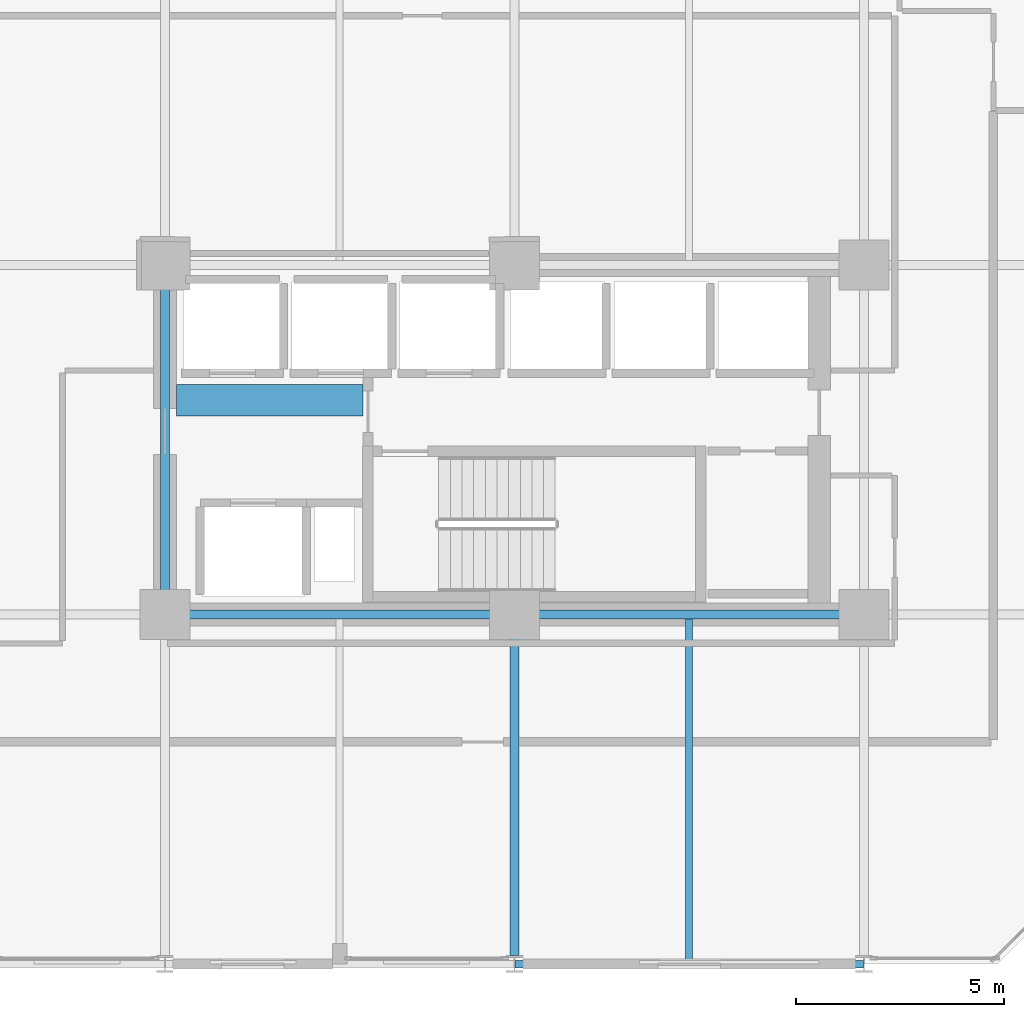
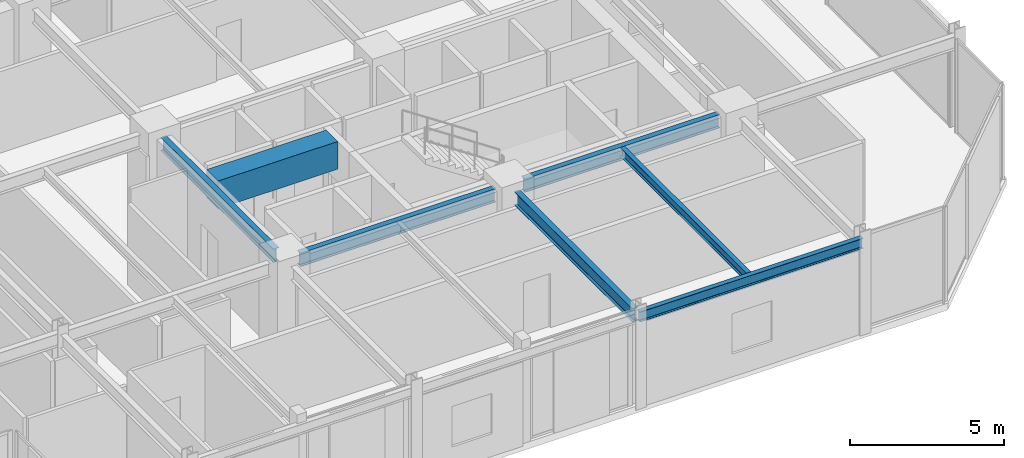
# One storey, part 7 of 29: 7 beams.
"""IFC4 building model written with IfcOpenShell, lengths in metres."""

import ifcopenshell
import ifcopenshell.guid

model = None  # the IFC model being written
_history = None  # IfcOwnerHistory: only IFC2X3 demands one
_inside = {}  # id of a spatial element -> (the spatial element, [elements in it])
_under = {}  # id of a project, library or spatial element -> (it, [spatial elements below it])
_declared = {}  # id of a project -> (the project, [libraries it declares])
_typed = {}  # id of a type object -> (the type object, [elements of that type])
_made_of = {}  # id of a material, layer set ... -> (it, [elements and type objects made of it])


def new_model(schema):
    """Start an empty IFC model of exactly this schema.

    Asked for "IFC4X3", IfcOpenShell would pick the latest addendum, in which some entities
    have other attributes; the version numbers below select the first issue.
    IFC2X3 requires an IfcOwnerHistory on every rooted entity: one is made here for all.
    """
    global model, _history
    if schema == "IFC4X3":
        model = ifcopenshell.file(schema_version=(4, 3, 0, 0))
    else:
        model = ifcopenshell.file(schema=schema)
    _inside.clear()
    _under.clear()
    _declared.clear()
    _typed.clear()
    _made_of.clear()
    _history = None
    if model.schema == "IFC2X3":
        org = make("IfcOrganization", Name="unknown")
        user = make(
            "IfcPersonAndOrganization",
            ThePerson=make("IfcPerson", FamilyName="unknown"),
            TheOrganization=org,
        )
        app = make(
            "IfcApplication",
            ApplicationDeveloper=org,
            Version="unknown",
            ApplicationFullName="unknown",
            ApplicationIdentifier="unknown",
        )
        _history = make(
            "IfcOwnerHistory",
            OwningUser=user,
            OwningApplication=app,
            ChangeAction="ADDED",
            CreationDate=0,
        )
    return model


def make(cls, **values):
    """One entity of the class cls with the attributes given. An attribute that is None is left unset."""
    return model.create_entity(
        cls, **{name: value for name, value in values.items() if value is not None}
    )


def rooted(cls, **values):
    """An entity with a GlobalId (a new one), such as an element, a storey or a relation."""
    return make(cls, GlobalId=ifcopenshell.guid.new(), OwnerHistory=_history, **values)


def si_unit(unit_type, name, prefix=None):
    """IfcSIUnit, for example si_unit("LENGTHUNIT", "METRE", prefix="MILLI")."""
    return make("IfcSIUnit", UnitType=unit_type, Prefix=prefix, Name=name)


def assignment(units):
    """IfcUnitAssignment: the units of a project."""
    return None if units is None else make("IfcUnitAssignment", Units=units)


def point(xyz):
    """IfcCartesianPoint."""
    return None if xyz is None else make("IfcCartesianPoint", Coordinates=xyz)


def direction(xyz):
    """IfcDirection."""
    return None if xyz is None else make("IfcDirection", DirectionRatios=xyz)


def frame(location, z_axis=None, x_axis=None):
    """IfcAxis2Placement3D, a coordinate frame: its origin and axes. An axis left out is left unset."""
    return make(
        "IfcAxis2Placement3D",
        Location=point(location),
        Axis=direction(z_axis),
        RefDirection=direction(x_axis),
    )


def frame_2d(location, x_axis=None):
    """IfcAxis2Placement2D, a coordinate frame in the plane: its origin and x axis."""
    return make(
        "IfcAxis2Placement2D", Location=point(location), RefDirection=direction(x_axis)
    )


def origin():
    """The frame at (0, 0, 0) with its axes left unset."""
    return frame((0.0, 0.0, 0.0))


def origin_2d():
    """The frame at (0, 0) in the plane with its x axis left unset."""
    return frame_2d((0.0, 0.0))


def place(relative_to, where):
    """IfcLocalPlacement: puts the frame where relative to a parent placement (None: the world)."""
    return make(
        "IfcLocalPlacement", PlacementRelTo=relative_to, RelativePlacement=where
    )


def context(
    kind, dimensions, precision=None, world=None, true_north=None, identifier=None
):
    """IfcGeometricRepresentationContext, for example the 3D "Model" context."""
    return make(
        "IfcGeometricRepresentationContext",
        ContextIdentifier=identifier,
        ContextType=kind,
        CoordinateSpaceDimension=dimensions,
        Precision=precision,
        WorldCoordinateSystem=world,
        TrueNorth=true_north,
    )


def subcontext(parent, identifier, kind, view, scale=None):
    """IfcGeometricRepresentationSubContext, for example "Body" below "Model"."""
    return make(
        "IfcGeometricRepresentationSubContext",
        ContextIdentifier=identifier,
        ContextType=kind,
        ParentContext=parent,
        TargetScale=scale,
        TargetView=view,
    )


def project(units=None, contexts=None):
    """IfcProject with its units and contexts."""
    return rooted(
        "IfcProject",
        Name="project",
        RepresentationContexts=contexts,
        UnitsInContext=assignment(units),
    )


def spatial(cls, under=None, at=None, **own):
    """A site, building, storey or space (cls), placed at a placement, below another one or the project."""
    s = rooted(cls, ObjectPlacement=at, **own)
    if under is not None:
        _under.setdefault(under.id(), (under, []))[1].append(s)
    return s


def profile(cls, at=None, kind="AREA", **sizes):
    """A parametric profile (cls). Its sizes go by their IFC names, for example OverallWidth=200.0."""
    return make(cls, ProfileType=kind, Position=at, **sizes)


def rectangle(**sizes):
    """IfcRectangleProfileDef."""
    return profile("IfcRectangleProfileDef", **sizes)


def i_section(**sizes):
    """IfcIShapeProfileDef."""
    return profile("IfcIShapeProfileDef", **sizes)


def extrude(swept, where, along, depth):
    """IfcExtrudedAreaSolid: the profile swept, set in the frame where, extruded along a direction by depth."""
    return make(
        "IfcExtrudedAreaSolid",
        SweptArea=swept,
        Position=where,
        ExtrudedDirection=direction(along),
        Depth=depth,
    )


def shape(context_of_items, identifier, shape_type, items):
    """IfcShapeRepresentation: the items that make up one representation, for example the "Body"."""
    return make(
        "IfcShapeRepresentation",
        ContextOfItems=context_of_items,
        RepresentationIdentifier=identifier,
        RepresentationType=shape_type,
        Items=items,
    )


def material(Name=None, Category=None):
    """IfcMaterial."""
    return make("IfcMaterial", Name=Name, Category=Category)


def material_profile(
    of_material, cross_section, Name=None, Category=None, Priority=None
):
    """IfcMaterialProfile: a cross section and its material."""
    return make(
        "IfcMaterialProfile",
        Name=Name,
        Material=of_material,
        Profile=cross_section,
        Priority=Priority,
        Category=Category,
    )


def profile_set(profiles, Name=None, composite=None):
    """IfcMaterialProfileSet."""
    return make(
        "IfcMaterialProfileSet",
        Name=Name,
        MaterialProfiles=profiles,
        CompositeProfile=composite,
    )


def made_of(thing, what):
    """Note that an element or type object is made of a material, layer set ...; save() writes the relation."""
    if what is not None:
        _made_of.setdefault(what.id(), (what, []))[1].append(thing)
    return thing


def type_object(cls, material=None, **own):
    """A type object (cls), such as IfcWallType, which elements share."""
    return made_of(rooted(cls, **own), material)


def element(
    cls,
    number,
    at=None,
    inside=None,
    cuts=None,
    type_object=None,
    material=None,
    context=None,
    identifier="Body",
    shape_type=None,
    held_by="IfcProductDefinitionShape",
    body=None,
    shapes=None,
    **own,
):
    """One element of the class cls, such as IfcWall. Its Tag is "e" and its number.

    at: its placement. inside: the storey or other place that contains it. cuts: it is an
    opening in that element (IfcRelVoidsElement). A single representation is given by context,
    identifier, shape_type and body (its items); several are given by shapes. held_by: the class
    of the entity that holds the representations. save() writes the other relations.
    """
    e = rooted(cls, Tag="e%d" % number, ObjectPlacement=at, **own)
    if body is not None:
        shapes = [shape(context, identifier, shape_type, body)]
    if shapes is not None:
        e.Representation = make(held_by, Representations=shapes)
    if inside is not None:
        _inside.setdefault(inside.id(), (inside, []))[1].append(e)
    if cuts is not None:
        rooted(
            "IfcRelVoidsElement", RelatingBuildingElement=cuts, RelatedOpeningElement=e
        )
    if type_object is not None:
        _typed.setdefault(type_object.id(), (type_object, []))[1].append(e)
    return made_of(e, material)


def aggregate(whole, parts):
    """IfcRelAggregates: a whole, such as a stair, and the parts it consists of."""
    return rooted("IfcRelAggregates", RelatingObject=whole, RelatedObjects=parts)


def save(model, path):
    """Write the relations noted so far, then the file.

    IfcRelAggregates (storeys below a building ...), IfcRelContainedInSpatialStructure (elements
    in a storey), IfcRelDefinesByType, IfcRelAssociatesMaterial and IfcRelDeclares: one each for
    every whole, place, type object, material and project.
    """
    for whole, parts in _under.values():
        aggregate(whole, parts)
    for where, things in _inside.values():
        rooted(
            "IfcRelContainedInSpatialStructure",
            RelatedElements=things,
            RelatingStructure=where,
        )
    for kind, things in _typed.values():
        rooted("IfcRelDefinesByType", RelatedObjects=things, RelatingType=kind)
    for what, things in _made_of.values():
        rooted("IfcRelAssociatesMaterial", RelatedObjects=things, RelatingMaterial=what)
    for by, libraries in _declared.values():
        rooted("IfcRelDeclares", RelatingContext=by, RelatedDefinitions=libraries)
    model.write(path)


model = new_model("IFC4")

# Units and contexts
model_context = context("Model", 3, precision=1e-05, world=origin(), true_north=direction((0.0, 1.0)))
body_context = subcontext(model_context, "Body", "Model", "MODEL_VIEW")
ifc_project = project(units=[si_unit("LENGTHUNIT", "METRE"), si_unit("AREAUNIT", "SQUARE_METRE"), si_unit("VOLUMEUNIT", "CUBIC_METRE"), si_unit("PLANEANGLEUNIT", "RADIAN"), si_unit("MASSUNIT", "GRAM", prefix="KILO")], contexts=[model_context])

# Site, building, storey
site_placement = place(None, origin())
site = spatial("IfcSite", under=ifc_project, at=site_placement, CompositionType="ELEMENT")
building_placement = place(site_placement, origin())
building = spatial("IfcBuilding", under=site, at=building_placement, Name="Nerrivon Quay Data Exchange", CompositionType="ELEMENT")
storey_placement = place(building_placement, frame((0.0, 0.0, 158.199951171875)))
storey = spatial("IfcBuildingStorey", under=building, at=storey_placement, Name="L37", CompositionType="ELEMENT", Elevation=158.199951171875)

# Beams
ifc_material_1 = material(Name="Concrete S65 (65 MPa)", Category="concrete")
ifc_material_profile_1 = material_profile(ifc_material_1, rectangle(XDim=0.75, YDim=1.10009765625, at=origin_2d()), Name="RC-CB-750x1100")
ifc_profile_set_1 = profile_set([ifc_material_profile_1], Name="Concrete S65 (65 MPa)")
beam_type_1 = type_object("IfcBeamType", Name="BM-CB1-750x1100", PredefinedType="LINTEL", material=ifc_profile_set_1)
beam_1_placement = place(storey_placement, frame((17.074951171875, 13.550048828125, 3.199951171875), z_axis=(1.0, 0.0, 0.0), x_axis=(0.0, 1.0, 0.0)))
element("IfcBeam", 1, at=beam_1_placement, inside=storey, type_object=beam_type_1, Name="L37 East Core Coupling Beam", PredefinedType="LINTEL", context=body_context, shape_type="SweptSolid", body=[
    extrude(rectangle(XDim=0.75, YDim=1.10009765625, at=origin_2d()), origin(), (0.0, 0.0, 1.0), 4.47998046875),
])
ifc_material_2 = material(Name="Steel Grade 350", Category="steel")
ifc_material_profile_2 = material_profile(ifc_material_2, i_section(OverallWidth=0.208984375, OverallDepth=0.532958984375, WebThickness=0.01025390625, FlangeThickness=0.015625, FilletRadius=0.013916015625, at=origin_2d()), Name="530UB92.4")
ifc_profile_set_2 = profile_set([ifc_material_profile_2], Name="Steel Grade 350")
beam_type_2 = type_object("IfcBeamType", Name="BM-G3-530UB92", PredefinedType="BEAM", material=ifc_profile_set_2)
beam_2_placement = place(storey_placement, frame((17.340087890625, 8.39990234375, 3.483642578125), z_axis=(1.0, 0.0, 0.0), x_axis=(0.0, 1.0, 0.0)))
element("IfcBeam", 2, at=beam_2_placement, inside=storey, type_object=beam_type_2, Name="L37 EW Girder Y=8.4 (16.8..25.2)", PredefinedType="BEAM", context=body_context, shape_type="SweptSolid", body=[
    extrude(i_section(OverallWidth=0.208984375, OverallDepth=0.532958984375, WebThickness=0.01025390625, FlangeThickness=0.015625, FilletRadius=0.013916015625, at=origin_2d()), origin(), (0.0, 0.0, 1.0), 7.31982421875),
])
beam_3_placement = place(storey_placement, frame((25.739990234375, 8.39990234375, 3.483642578125), z_axis=(1.0, 0.0, 0.0), x_axis=(0.0, 1.0, 0.0)))
element("IfcBeam", 3, at=beam_3_placement, inside=storey, type_object=beam_type_2, Name="L37 EW Girder Y=8.4 (25.2..33.6)", PredefinedType="BEAM", context=body_context, shape_type="SweptSolid", body=[
    extrude(i_section(OverallWidth=0.208984375, OverallDepth=0.532958984375, WebThickness=0.01025390625, FlangeThickness=0.015625, FilletRadius=0.013916015625, at=origin_2d()), origin(), (0.0, 0.0, 1.0), 7.320068359375),
])
ifc_material_profile_3 = material_profile(ifc_material_2, i_section(OverallWidth=0.208984375, OverallDepth=0.528076171875, WebThickness=0.009521484375, FlangeThickness=0.01318359375, FilletRadius=0.013916015625, at=origin_2d()), Name="530UB82.0")
ifc_profile_set_3 = profile_set([ifc_material_profile_3], Name="Steel Grade 350")
beam_type_3 = type_object("IfcBeamType", Name="BM-G4-530UB82", PredefinedType="BEAM", material=ifc_profile_set_3)
beam_4_placement = place(storey_placement, frame((16.800048828125, 8.93994140625, 3.486083984375), z_axis=(0.0, 1.0, 0.0), x_axis=(-1.0, 0.0, 0.0)))
element("IfcBeam", 4, at=beam_4_placement, inside=storey, type_object=beam_type_3, Name="L37 NS Girder X=16.8 (8.4..16.8)", PredefinedType="BEAM", context=body_context, shape_type="SweptSolid", body=[
    extrude(i_section(OverallWidth=0.208984375, OverallDepth=0.528076171875, WebThickness=0.009521484375, FlangeThickness=0.01318359375, FilletRadius=0.013916015625, at=origin_2d()), origin(), (0.0, 0.0, 1.0), 7.320068359375),
])
beam_5_placement = place(storey_placement, frame((25.199951171875, 0.199951171875, 3.486083984375), z_axis=(0.0, 1.0, 0.0), x_axis=(-1.0, 0.0, 0.0)))
element("IfcBeam", 5, at=beam_5_placement, inside=storey, type_object=beam_type_3, Name="L37 NS Girder X=25.2 (0.0..8.4)", PredefinedType="BEAM", context=body_context, shape_type="SweptSolid", body=[
    extrude(i_section(OverallWidth=0.208984375, OverallDepth=0.528076171875, WebThickness=0.009521484375, FlangeThickness=0.01318359375, FilletRadius=0.013916015625, at=origin_2d()), origin(), (0.0, 0.0, 1.0), 7.66015625),
])
ifc_material_profile_4 = material_profile(ifc_material_2, i_section(OverallWidth=0.1708984375, OverallDepth=0.35595703125, WebThickness=0.00732421875, FlangeThickness=0.011474609375, FilletRadius=0.011474609375, at=origin_2d()), Name="360UB50.7")
ifc_profile_set_4 = profile_set([ifc_material_profile_4], Name="Steel Grade 350")
beam_type_4 = type_object("IfcBeamType", Name="BM-J4-360UB51", PredefinedType="JOIST", material=ifc_profile_set_4)
beam_6_placement = place(storey_placement, frame((29.39990234375, 0.089111328125, 3.572021484375), z_axis=(0.0, 1.0, 0.0), x_axis=(-1.0, 0.0, 0.0)))
element("IfcBeam", 6, at=beam_6_placement, inside=storey, type_object=beam_type_4, Name="L37 Secondary Joist X=29.4 (0.0..8.4)", PredefinedType="JOIST", context=body_context, shape_type="SweptSolid", body=[
    extrude(i_section(OverallWidth=0.1708984375, OverallDepth=0.35595703125, WebThickness=0.00732421875, FlangeThickness=0.011474609375, FilletRadius=0.011474609375, at=origin_2d()), origin(), (0.0, 0.0, 1.0), 8.206298828125),
])
ifc_material_profile_5 = material_profile(ifc_material_2, i_section(OverallWidth=0.177978515625, OverallDepth=0.403076171875, WebThickness=0.007568359375, FlangeThickness=0.010986328125, FilletRadius=0.011474609375, at=origin_2d()), Name="410UB53.7")
ifc_profile_set_5 = profile_set([ifc_material_profile_5], Name="Steel Grade 350")
beam_type_5 = type_object("IfcBeamType", Name="BM-SP2-410UB54", PredefinedType="SPANDREL", material=ifc_profile_set_5)
beam_7_placement = place(storey_placement, frame((25.21240234375, 0.0, 3.548583984375), z_axis=(1.0, 0.0, 0.0), x_axis=(0.0, 1.0, 0.0)))
element("IfcBeam", 7, at=beam_7_placement, inside=storey, type_object=beam_type_5, Name="L37 EW Girder Y=0.0 (25.2..33.6)", PredefinedType="SPANDREL", context=body_context, shape_type="SweptSolid", body=[
    extrude(i_section(OverallWidth=0.177978515625, OverallDepth=0.403076171875, WebThickness=0.007568359375, FlangeThickness=0.010986328125, FilletRadius=0.011474609375, at=origin_2d()), origin(), (0.0, 0.0, 1.0), 8.375),
])

save(model, "model.ifc")
